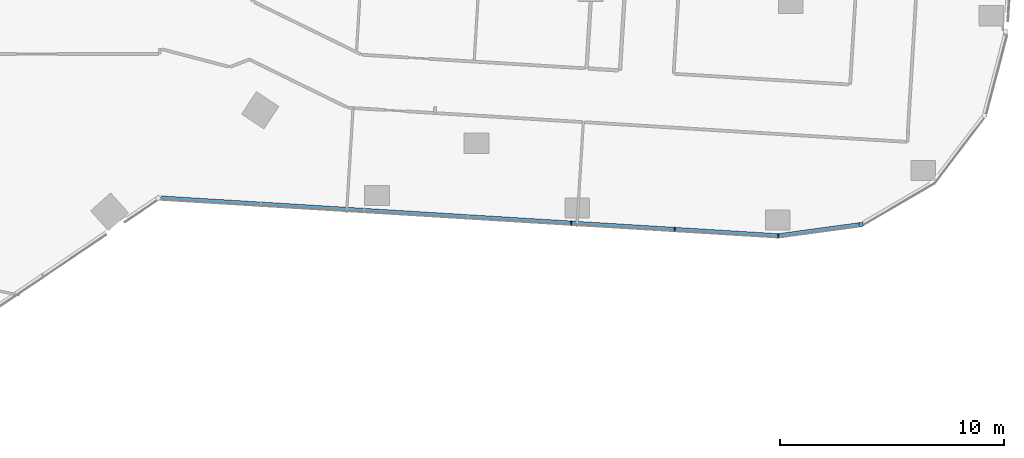
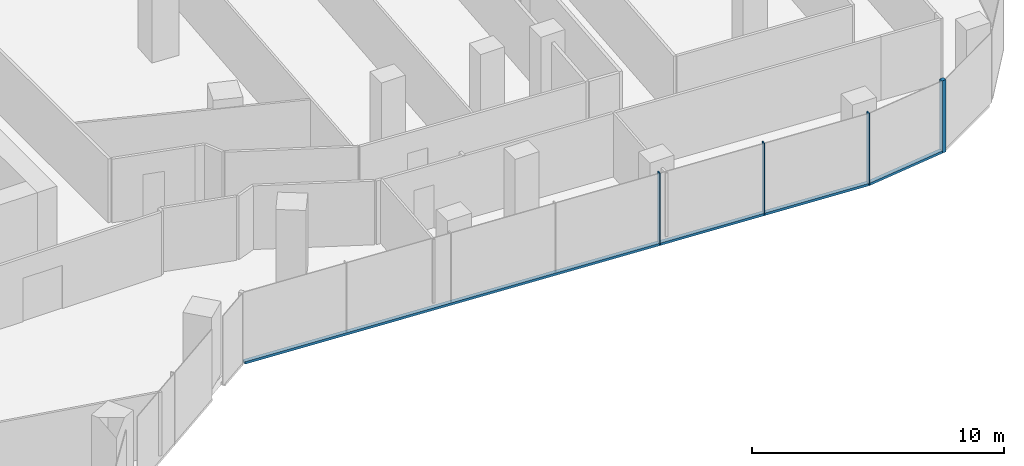
# One storey, part 8 of 32: 6 members, 2 elements without a shape of their own.
"""IFC4 building model written with IfcOpenShell, lengths in metres."""

from ifc_helpers import new_model, si_unit, direction, frame, origin, origin_2d, place, context, subcontext, project, spatial, rectangle, extrude, material, material_profile, profile_set, type_object, element, aggregate, save


model = new_model("IFC4")

# Units and contexts
model_context = context("Model", 3, precision=1e-05, world=origin(), true_north=direction((0.0, 1.0)))
body_context = subcontext(model_context, "Body", "Model", "MODEL_VIEW")
ifc_project = project(units=[si_unit("LENGTHUNIT", "METRE"), si_unit("AREAUNIT", "SQUARE_METRE"), si_unit("VOLUMEUNIT", "CUBIC_METRE"), si_unit("PLANEANGLEUNIT", "RADIAN"), si_unit("MASSUNIT", "GRAM", prefix="KILO")], contexts=[model_context])

# Site, building, storey
site_placement = place(None, origin())
site = spatial("IfcSite", under=ifc_project, at=site_placement, CompositionType="ELEMENT")
building_placement = place(site_placement, origin())
building = spatial("IfcBuilding", under=site, at=building_placement, Name="Orlundy Tower", CompositionType="ELEMENT")
storey_placement = place(building_placement, frame((0.0, 0.0, 152.60009765625)))
storey = spatial("IfcBuildingStorey", under=building, at=storey_placement, Name="L39", CompositionType="ELEMENT", Elevation=152.60009765625)

# Curtain wall, member
ifc_material_1 = material(Name="Aluminium bronze anodised", Category="aluminium")
curtain_wall_type = type_object("IfcCurtainWallType", Name="CW1 wall", PredefinedType="NOTDEFINED", material=ifc_material_1)
curtain_wall_1_placement = place(storey_placement, origin())
curtain_wall_1 = element("IfcCurtainWall", 1, at=curtain_wall_1_placement, inside=storey, type_object=curtain_wall_type, Name="CW1 run 027", PredefinedType="NOTDEFINED")
ifc_material_2 = material(Name="Aluminium bronze anodised", Category="aluminium")
ifc_material_profile_1 = material_profile(ifc_material_2, rectangle(XDim=0.179931640625, YDim=0.179931640625, at=origin_2d()), Name="CW1 corner post 180x180")
ifc_profile_set_1 = profile_set([ifc_material_profile_1], Name="Aluminium bronze anodised")
member_type_1 = type_object("IfcMemberType", Name="CW1 corner post 180x180", PredefinedType="MULLION", material=ifc_profile_set_1)
member_1_placement = place(storey_placement, frame((53.386962890625, -22.662841796875, -0.400146484375), z_axis=(0.0, 0.0, 1.0), x_axis=(0.134884472094, -0.990861331967, 0.0)))
member_1 = element("IfcMember", 2, at=member_1_placement, type_object=member_type_1, Name="CW1 mullion 68", PredefinedType="MULLION", context=body_context, shape_type="SweptSolid", body=[
    extrude(rectangle(XDim=0.179931640625, YDim=0.179931640625, at=origin_2d()), origin(), (0.0, 0.0, 1.0), 3.5),
])

# Curtain wall, members
curtain_wall_2_placement = place(storey_placement, origin())
curtain_wall_2 = element("IfcCurtainWall", 3, at=curtain_wall_2_placement, inside=storey, type_object=curtain_wall_type, Name="CW1 run 00", PredefinedType="NOTDEFINED")
ifc_material_3 = material(Name="Aluminium bronze anodised", Category="aluminium")
ifc_material_profile_2 = material_profile(ifc_material_3, rectangle(XDim=0.179931640625, YDim=0.050048828125, at=origin_2d()), Name="CW1 mullion 50x180")
ifc_profile_set_2 = profile_set([ifc_material_profile_2], Name="Aluminium bronze anodised")
member_type_2 = type_object("IfcMemberType", Name="CW1 mullion 50x180", PredefinedType="MULLION", material=ifc_profile_set_2)
member_2_placement = place(storey_placement, frame((49.687255859375, -23.166259765625, -0.400146484375), z_axis=(0.0, 0.0, 1.0), x_axis=(0.037099562394, -0.99931157427, 0.0)))
member_2 = element("IfcMember", 4, at=member_2_placement, type_object=member_type_2, Name="CW1 mullion 1", PredefinedType="MULLION", context=body_context, shape_type="SweptSolid", body=[
    extrude(rectangle(XDim=0.179931640625, YDim=0.050048828125, at=origin_2d()), origin(), (0.0, 0.0, 1.0), 3.5),
])
member_3_placement = place(storey_placement, frame((45.056396484375, -22.883056640625, -0.400146484375), z_axis=(0.0, 0.0, 1.0), x_axis=(-0.061042738341, -0.998135153221, 0.0)))
member_3 = element("IfcMember", 5, at=member_3_placement, type_object=member_type_2, Name="CW1 mullion 2", PredefinedType="MULLION", context=body_context, shape_type="SweptSolid", body=[
    extrude(rectangle(XDim=0.179931640625, YDim=0.050048828125, at=origin_2d()), origin(), (0.0, 0.0, 1.0), 3.5),
])
member_4_placement = place(storey_placement, frame((40.4345703125, -22.6005859375, -0.400146484375), z_axis=(0.0, 0.0, 1.0), x_axis=(-0.061042738341, -0.998135153221, 0.0)))
member_4 = element("IfcMember", 6, at=member_4_placement, type_object=member_type_2, Name="CW1 mullion 3", PredefinedType="MULLION", context=body_context, shape_type="SweptSolid", body=[
    extrude(rectangle(XDim=0.179931640625, YDim=0.050048828125, at=origin_2d()), origin(), (0.0, 0.0, 1.0), 3.5),
])
ifc_material_4 = material(Name="Aluminium bronze anodised", Category="aluminium")
ifc_material_profile_3 = material_profile(ifc_material_4, rectangle(XDim=0.179931640625, YDim=0.1201171875, at=origin_2d()), Name="CW1 transom 180x120")
ifc_profile_set_3 = profile_set([ifc_material_profile_3], Name="Aluminium bronze anodised")
member_type_3 = type_object("IfcMemberType", Name="CW1 transom 180x120", PredefinedType="USERDEFINED", material=ifc_profile_set_3)
member_5_placement = place(storey_placement, frame((49.662353515625, -23.164794921875, -0.340087890625), z_axis=(-0.998135014108, 0.061045012994, 0.0), x_axis=(-0.061045012994, -0.998135014108, 0.0)))
member_5 = element("IfcMember", 7, at=member_5_placement, type_object=member_type_3, Name="CW1 transom", ObjectType="TRANSOM", PredefinedType="USERDEFINED", context=body_context, shape_type="SweptSolid", body=[
    extrude(rectangle(XDim=0.179931640625, YDim=0.1201171875, at=origin_2d()), origin(), (0.0, 0.0, 1.0), 27.62353515625),
])
aggregate(curtain_wall_2, [member_2, member_3, member_4, member_5])

# Member
member_6_placement = place(storey_placement, frame((53.297607421875, -22.6748046875, -0.340087890625), z_axis=(-0.990853965346, -0.134938576242, 0.0), x_axis=(0.134938576242, -0.990853965346, 0.0)))
member_6 = element("IfcMember", 8, at=member_6_placement, type_object=member_type_3, Name="CW1 transom", ObjectType="TRANSOM", PredefinedType="USERDEFINED", context=body_context, shape_type="SweptSolid", body=[
    extrude(rectangle(XDim=0.179931640625, YDim=0.1201171875, at=origin_2d()), origin(), (0.0, 0.0, 1.0), 3.61865234375),
])

aggregate(curtain_wall_1, [member_1, member_6])

save(model, "model.ifc")
